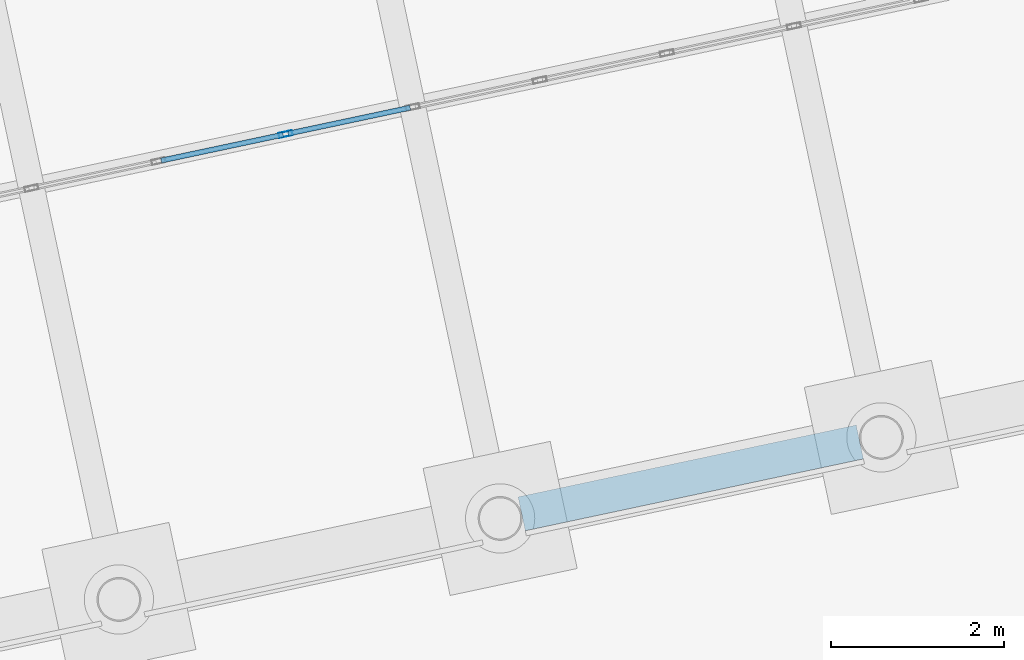
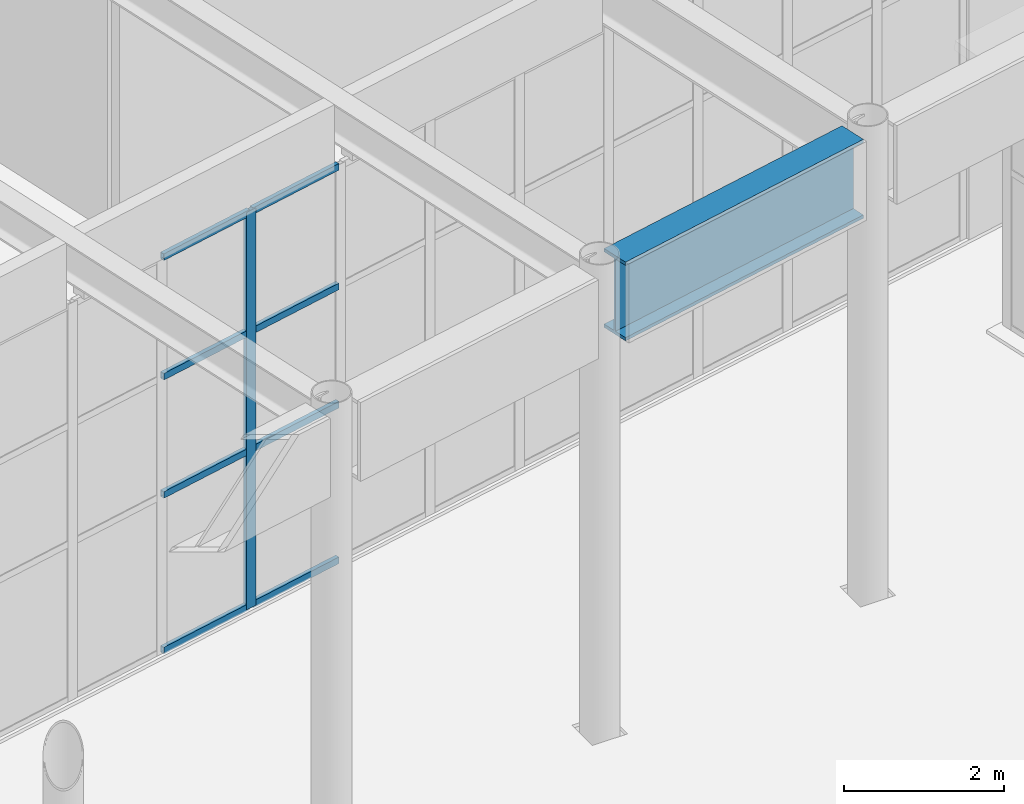
# One storey, part 64 of 239: 9 members, 1 beam, 1 element without a shape of its own.
"""IFC4 building model written with IfcOpenShell, lengths in metres."""

from ifc_helpers import new_model, si_unit, direction, frame, origin, origin_2d, place, context, subcontext, project, spatial, hollow_rectangle, i_section, extrude, material, material_profile, profile_set, type_object, element, aggregate, save


model = new_model("IFC4")

# Units and contexts
model_context = context("Model", 3, precision=1e-05, world=origin(), true_north=direction((0.0, 1.0)))
body_context = subcontext(model_context, "Body", "Model", "MODEL_VIEW")
ifc_project = project(units=[si_unit("LENGTHUNIT", "METRE"), si_unit("AREAUNIT", "SQUARE_METRE"), si_unit("VOLUMEUNIT", "CUBIC_METRE"), si_unit("PLANEANGLEUNIT", "RADIAN"), si_unit("MASSUNIT", "GRAM", prefix="KILO")], contexts=[model_context])

# Site, building, storey
site_placement = place(None, origin())
site = spatial("IfcSite", under=ifc_project, at=site_placement, CompositionType="ELEMENT")
building_placement = place(site_placement, origin())
building = spatial("IfcBuilding", under=site, at=building_placement, Name="Okhra Congress Centre", CompositionType="ELEMENT")
storey_placement = place(building_placement, origin())
storey = spatial("IfcBuildingStorey", under=building, at=storey_placement, Name="L00", CompositionType="ELEMENT", Elevation=0.0)

# Curtain wall, members
ifc_material_1 = material(Name="Aluminium curtain wall, triple glazing", Category="aluminium")
curtain_wall_type = type_object("IfcCurtainWallType", Name="Curtain wall 1500 module", PredefinedType="NOTDEFINED", material=ifc_material_1)
curtain_wall_placement = place(storey_placement, origin())
curtain_wall = element("IfcCurtainWall", 1, at=curtain_wall_placement, inside=storey, type_object=curtain_wall_type, Name="Ground curtain wall S2", PredefinedType="NOTDEFINED")
ifc_material_2 = material(Name="Aluminium alloy EN AW-6063 T66", Category="aluminium")
ifc_material_profile_1 = material_profile(ifc_material_2, hollow_rectangle(XDim=0.06005859375, YDim=0.159912109375, WallThickness=0.00390625, at=origin_2d()), Name="RHS 60x160x4")
ifc_profile_set_1 = profile_set([ifc_material_profile_1], Name="Aluminium alloy EN AW-6063 T66")
member_type_1 = type_object("IfcMemberType", Name="Curtain wall mullion 60x160", PredefinedType="MULLION", material=ifc_profile_set_1)
member_1_placement = place(storey_placement, frame((111.354248046875, 42.473388671875, 0.0), z_axis=(0.0, 0.0, 1.0), x_axis=(-0.207911690818, 0.978147600734, 0.0)))
member_1 = element("IfcMember", 2, at=member_1_placement, type_object=member_type_1, Name="CW7 mullion 16", PredefinedType="MULLION", context=body_context, shape_type="SweptSolid", body=[
    extrude(hollow_rectangle(XDim=0.06005859375, YDim=0.159912109375, WallThickness=0.00390625, at=origin_2d()), origin(), (0.0, 0.0, 1.0), 6.050048828125),
])
ifc_material_profile_2 = material_profile(ifc_material_2, hollow_rectangle(XDim=0.06005859375, YDim=0.10009765625, WallThickness=0.00390625, at=origin_2d()), Name="RHS 60x100x4")
ifc_profile_set_2 = profile_set([ifc_material_profile_2], Name="Aluminium alloy EN AW-6063 T66")
member_type_2 = type_object("IfcMemberType", Name="Curtain wall transom 60x100", PredefinedType="USERDEFINED", material=ifc_profile_set_2)
member_2_placement = place(storey_placement, frame((109.91650390625, 42.16796875, 0.030029296875), z_axis=(0.978155834385, 0.207872950764, 0.0), x_axis=(-0.207872950764, 0.978155834385, 0.0)))
member_2 = element("IfcMember", 3, at=member_2_placement, type_object=member_type_2, Name="CW7 transom 15.1", ObjectType="TRANSOM", PredefinedType="USERDEFINED", context=body_context, shape_type="SweptSolid", body=[
    extrude(hollow_rectangle(XDim=0.06005859375, YDim=0.10009765625, WallThickness=0.00390625, at=origin_2d()), origin(), (0.0, 0.0, 1.0), 1.43994140625),
])
member_3_placement = place(storey_placement, frame((109.91650390625, 42.16796875, 2.39990234375), z_axis=(0.978155834385, 0.207872950764, 0.0), x_axis=(-0.207872950764, 0.978155834385, 0.0)))
member_3 = element("IfcMember", 4, at=member_3_placement, type_object=member_type_2, Name="CW7 transom 15.2", ObjectType="TRANSOM", PredefinedType="USERDEFINED", context=body_context, shape_type="SweptSolid", body=[
    extrude(hollow_rectangle(XDim=0.06005859375, YDim=0.10009765625, WallThickness=0.00390625, at=origin_2d()), origin(), (0.0, 0.0, 1.0), 1.43994140625),
])
member_4_placement = place(storey_placement, frame((109.91650390625, 42.16796875, 4.199951171875), z_axis=(0.978155834385, 0.207872950764, 0.0), x_axis=(-0.207872950764, 0.978155834385, 0.0)))
member_4 = element("IfcMember", 5, at=member_4_placement, type_object=member_type_2, Name="CW7 transom 15.3", ObjectType="TRANSOM", PredefinedType="USERDEFINED", context=body_context, shape_type="SweptSolid", body=[
    extrude(hollow_rectangle(XDim=0.06005859375, YDim=0.10009765625, WallThickness=0.00390625, at=origin_2d()), origin(), (0.0, 0.0, 1.0), 1.43994140625),
])
member_5_placement = place(storey_placement, frame((109.91650390625, 42.16796875, 6.02001953125), z_axis=(0.978155834385, 0.207872950764, 0.0), x_axis=(-0.207872950764, 0.978155834385, 0.0)))
member_5 = element("IfcMember", 6, at=member_5_placement, type_object=member_type_2, Name="CW7 transom 15.4", ObjectType="TRANSOM", PredefinedType="USERDEFINED", context=body_context, shape_type="SweptSolid", body=[
    extrude(hollow_rectangle(XDim=0.06005859375, YDim=0.10009765625, WallThickness=0.00390625, at=origin_2d()), origin(), (0.0, 0.0, 1.0), 1.43994140625),
])
member_6_placement = place(storey_placement, frame((111.3837890625, 42.479736328125, 0.030029296875), z_axis=(0.978155834385, 0.207872950764, 0.0), x_axis=(-0.207872950764, 0.978155834385, 0.0)))
member_6 = element("IfcMember", 7, at=member_6_placement, type_object=member_type_2, Name="CW7 transom 16.1", ObjectType="TRANSOM", PredefinedType="USERDEFINED", context=body_context, shape_type="SweptSolid", body=[
    extrude(hollow_rectangle(XDim=0.06005859375, YDim=0.10009765625, WallThickness=0.00390625, at=origin_2d()), origin(), (0.0, 0.0, 1.0), 1.43994140625),
])
member_7_placement = place(storey_placement, frame((111.3837890625, 42.479736328125, 2.39990234375), z_axis=(0.978155834385, 0.207872950764, 0.0), x_axis=(-0.207872950764, 0.978155834385, 0.0)))
member_7 = element("IfcMember", 8, at=member_7_placement, type_object=member_type_2, Name="CW7 transom 16.2", ObjectType="TRANSOM", PredefinedType="USERDEFINED", context=body_context, shape_type="SweptSolid", body=[
    extrude(hollow_rectangle(XDim=0.06005859375, YDim=0.10009765625, WallThickness=0.00390625, at=origin_2d()), origin(), (0.0, 0.0, 1.0), 1.43994140625),
])
member_8_placement = place(storey_placement, frame((111.3837890625, 42.479736328125, 4.199951171875), z_axis=(0.978155834385, 0.207872950764, 0.0), x_axis=(-0.207872950764, 0.978155834385, 0.0)))
member_8 = element("IfcMember", 9, at=member_8_placement, type_object=member_type_2, Name="CW7 transom 16.3", ObjectType="TRANSOM", PredefinedType="USERDEFINED", context=body_context, shape_type="SweptSolid", body=[
    extrude(hollow_rectangle(XDim=0.06005859375, YDim=0.10009765625, WallThickness=0.00390625, at=origin_2d()), origin(), (0.0, 0.0, 1.0), 1.43994140625),
])
member_9_placement = place(storey_placement, frame((111.3837890625, 42.479736328125, 6.02001953125), z_axis=(0.978155834385, 0.207872950764, 0.0), x_axis=(-0.207872950764, 0.978155834385, 0.0)))
member_9 = element("IfcMember", 10, at=member_9_placement, type_object=member_type_2, Name="CW7 transom 16.4", ObjectType="TRANSOM", PredefinedType="USERDEFINED", context=body_context, shape_type="SweptSolid", body=[
    extrude(hollow_rectangle(XDim=0.06005859375, YDim=0.10009765625, WallThickness=0.00390625, at=origin_2d()), origin(), (0.0, 0.0, 1.0), 1.43994140625),
])
aggregate(curtain_wall, [member_1, member_2, member_3, member_4, member_5, member_6, member_7, member_8, member_9])

# Beam
ifc_material_3 = material(Name="Steel S355J2", Category="steel")
ifc_material_profile_3 = material_profile(ifc_material_3, i_section(OverallWidth=0.39990234375, OverallDepth=1.199951171875, WebThickness=0.02490234375, FlangeThickness=0.050048828125, at=origin_2d()), Name="Plate girder 1200x400")
ifc_profile_set_3 = profile_set([ifc_material_profile_3], Name="Steel S355J2")
beam_type = type_object("IfcBeamType", Name="Perimeter plate girder 1200x400", PredefinedType="BEAM", material=ifc_profile_set_3)
beam_placement = place(storey_placement, frame((114.079345703125, 38.08935546875, 6.449951171875), z_axis=(0.978155431297, 0.207874847504, 0.0), x_axis=(-0.207874847504, 0.978155431297, 0.0)))
element("IfcBeam", 11, at=beam_placement, inside=storey, type_object=beam_type, Name="Perimeter girder S10", PredefinedType="BEAM", context=body_context, shape_type="SweptSolid", body=[
    extrude(i_section(OverallWidth=0.39990234375, OverallDepth=1.199951171875, WebThickness=0.02490234375, FlangeThickness=0.050048828125, at=origin_2d()), origin(), (0.0, 0.0, 1.0), 3.991943359375),
])

save(model, "model.ifc")
